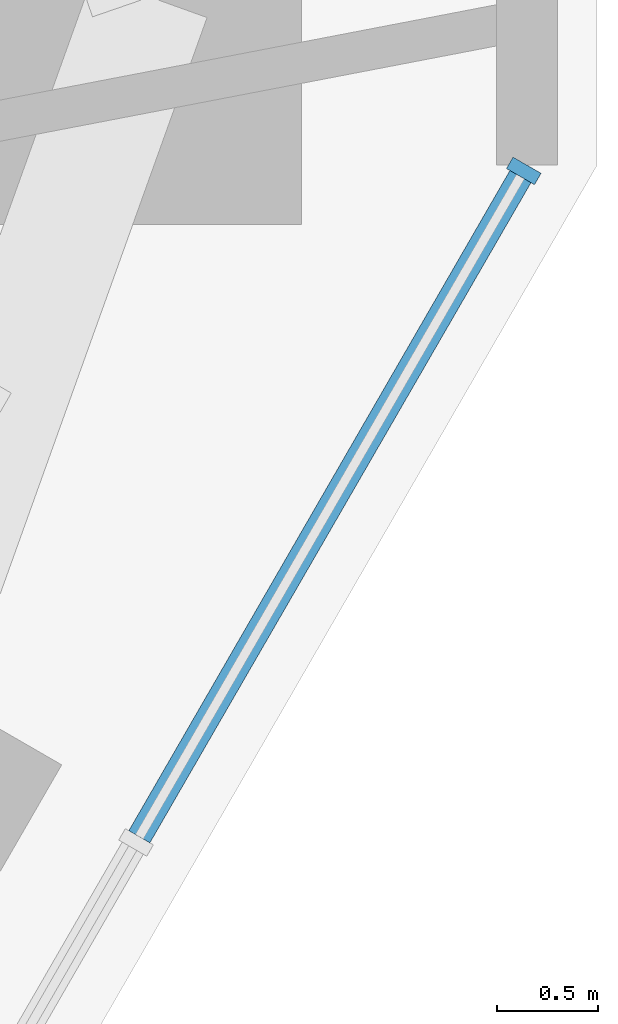
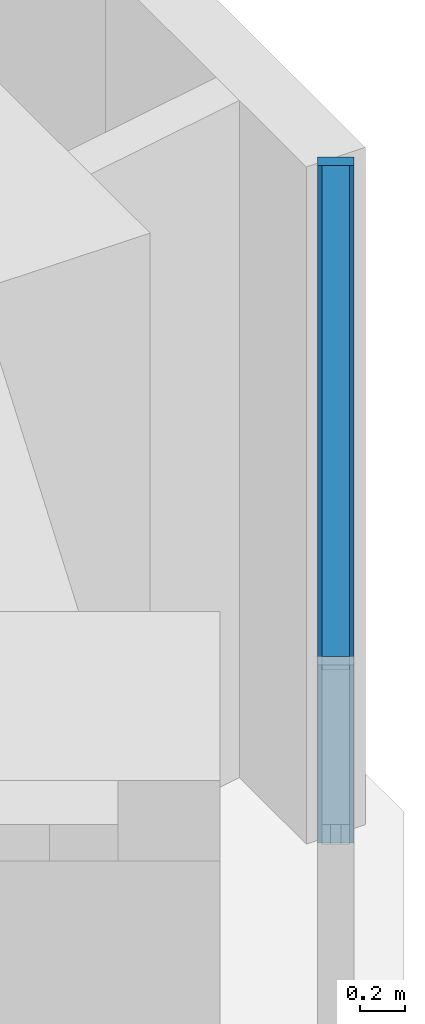
# One storey, part 6 of 17: 2 members, 1 element without a shape of its own.
"""IFC4 building model written with IfcOpenShell, lengths in metres."""

from ifc_helpers import new_model, si_unit, direction, frame, origin, origin_2d, place, context, subcontext, project, spatial, rectangle, extrude, material, material_profile, profile_set, type_object, element, aggregate, save


model = new_model("IFC4")

# Units and contexts
model_context = context("Model", 3, precision=1e-05, world=origin(), true_north=direction((0.0, 1.0)))
body_context = subcontext(model_context, "Body", "Model", "MODEL_VIEW")
ifc_project = project(units=[si_unit("LENGTHUNIT", "METRE"), si_unit("AREAUNIT", "SQUARE_METRE"), si_unit("VOLUMEUNIT", "CUBIC_METRE"), si_unit("PLANEANGLEUNIT", "RADIAN"), si_unit("MASSUNIT", "GRAM", prefix="KILO")], contexts=[model_context])

# Site, building, storey
site_placement = place(None, origin())
site = spatial("IfcSite", under=ifc_project, at=site_placement, CompositionType="ELEMENT")
building_placement = place(site_placement, origin())
building = spatial("IfcBuilding", under=site, at=building_placement, Name="Sandreach Pilgrim Tower", CompositionType="ELEMENT")
storey_placement = place(building_placement, frame((0.0, 0.0, 217.39990234375)))
storey = spatial("IfcBuildingStorey", under=building, at=storey_placement, Name="L54", CompositionType="ELEMENT", Elevation=217.39990234375)

# Curtain wall, members
ifc_material_1 = material(Name="Aluminium framed curtain wall", Category="aluminium")
curtain_wall_type = type_object("IfcCurtainWallType", Name="Upper hotel tower curtain wall", PredefinedType="NOTDEFINED", material=ifc_material_1)
curtain_wall_placement = place(storey_placement, origin())
curtain_wall = element("IfcCurtainWall", 1, at=curtain_wall_placement, inside=storey, type_object=curtain_wall_type, Name="CW-3 L54 SE", PredefinedType="NOTDEFINED")
ifc_material_2 = material(Name="Aluminium extrusion", Category="aluminium")
ifc_material_profile_1 = material_profile(ifc_material_2, rectangle(XDim=0.06494140625, YDim=0.159912109375, at=origin_2d()), Name="CW-3M 65X160")
ifc_profile_set_1 = profile_set([ifc_material_profile_1], Name="Aluminium extrusion")
member_type_1 = type_object("IfcMemberType", Name="CW-3 mullion", PredefinedType="MULLION", material=ifc_profile_set_1)
member_1_placement = place(storey_placement, frame((27.00390625, 4.451904296875, 0.0), z_axis=(0.0, 0.0, 1.0), x_axis=(-0.5, -0.866025403784, 0.0)))
member_1 = element("IfcMember", 2, at=member_1_placement, type_object=member_type_1, Name="CW-3 mullion 1", PredefinedType="MULLION", context=body_context, shape_type="SweptSolid", body=[
    extrude(rectangle(XDim=0.06494140625, YDim=0.159912109375, at=origin_2d()), origin(), (0.0, 0.0, 1.0), 3.64013671875),
])
ifc_material_3 = material(Name="Aluminium extrusion", Category="aluminium")
ifc_material_profile_2 = material_profile(ifc_material_3, rectangle(XDim=0.1201171875, YDim=0.070068359375, at=origin_2d()), Name="CW-3T 120X70")
ifc_profile_set_2 = profile_set([ifc_material_profile_2], Name="Aluminium extrusion")
member_type_2 = type_object("IfcMemberType", Name="CW-3 transom", PredefinedType="USERDEFINED", material=ifc_profile_set_2)
member_2_placement = place(storey_placement, frame((26.987548828125, 4.423828125, 3.60498046875), z_axis=(-0.499944992379, -0.86605716012, 0.0), x_axis=(0.86605716012, -0.499944992379, 0.0)))
member_2 = element("IfcMember", 3, at=member_2_placement, type_object=member_type_2, Name="CW-3 head transom 1", ObjectType="TRANSOM", PredefinedType="USERDEFINED", context=body_context, shape_type="SweptSolid", body=[
    extrude(rectangle(XDim=0.1201171875, YDim=0.070068359375, at=origin_2d()), origin(), (0.0, 0.0, 1.0), 3.76708984375),
])
aggregate(curtain_wall, [member_1, member_2])

save(model, "model.ifc")
